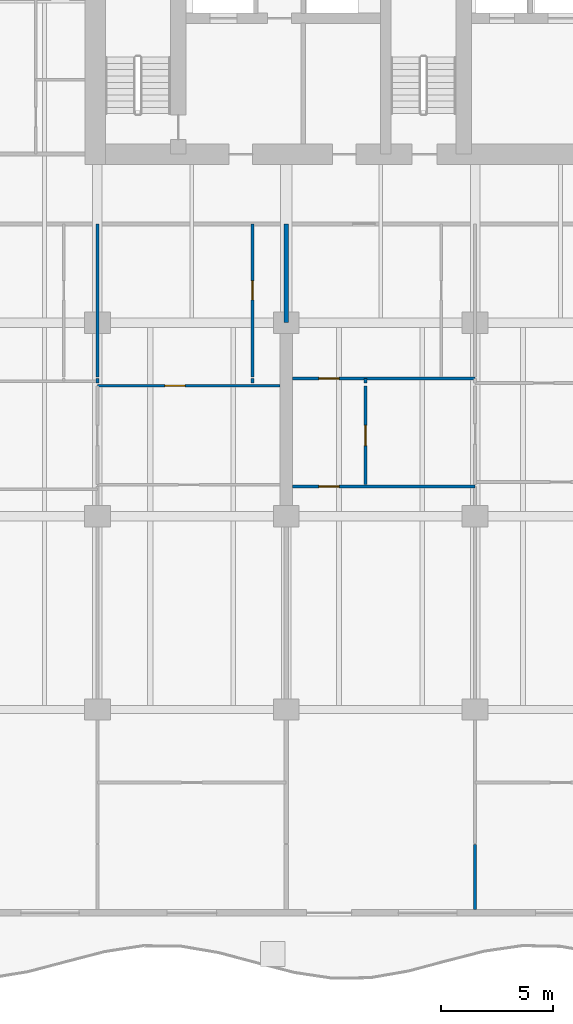
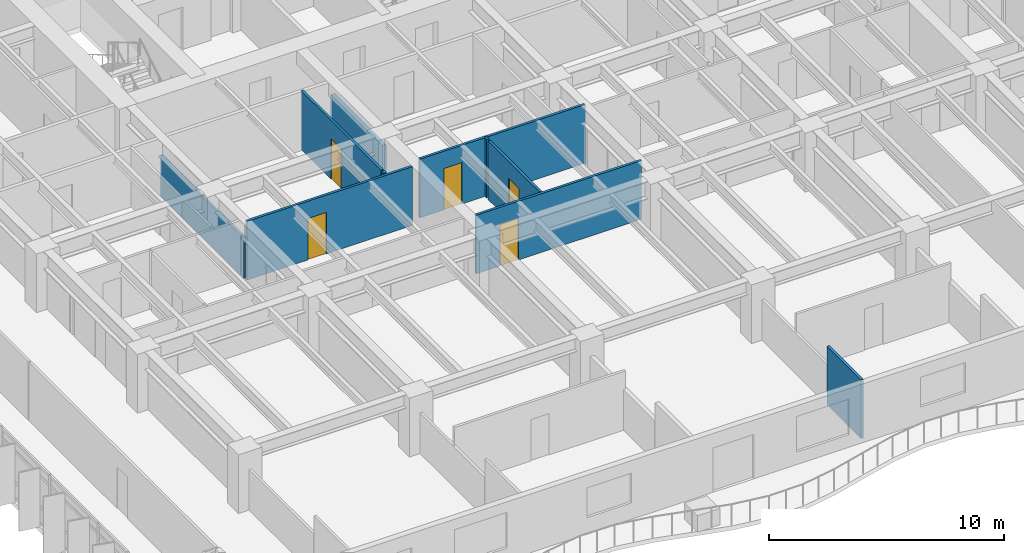
# One storey, part 7 of 18: 11 walls, 5 doors, 5 openings.
"""IFC4 building model written with IfcOpenShell, lengths in metres."""

from ifc_helpers import new_model, si_unit, direction, frame, frame_2d, origin, place, context, subcontext, project, spatial, rectangle, extrude, material, layer, layer_set, type_object, element, fill, save


model = new_model("IFC4")

# Units and contexts
model_context = context("Model", 3, precision=1e-05, world=origin(), true_north=direction((0.0, 1.0)))
body_context = subcontext(model_context, "Body", "Model", "MODEL_VIEW")
ifc_project = project(units=[si_unit("LENGTHUNIT", "METRE"), si_unit("AREAUNIT", "SQUARE_METRE"), si_unit("VOLUMEUNIT", "CUBIC_METRE"), si_unit("PLANEANGLEUNIT", "RADIAN"), si_unit("MASSUNIT", "GRAM", prefix="KILO")], contexts=[model_context])

# Site, building, storey
site_placement = place(None, origin())
site = spatial("IfcSite", under=ifc_project, at=site_placement, CompositionType="ELEMENT")
building_placement = place(site_placement, origin())
building = spatial("IfcBuilding", under=site, at=building_placement, Name="Caelmar Bay Residences", CompositionType="ELEMENT")
storey_placement = place(building_placement, frame((0.0, 0.0, 56.39990234375)))
storey = spatial("IfcBuildingStorey", under=building, at=storey_placement, Name="L14", CompositionType="ELEMENT", Elevation=56.39990234375)

# Walls
ifc_material_1 = material(Name="Acoustic metal-stud gypsum partition 120 mm")
ifc_layer_1 = layer(ifc_material_1, 0.1201171875)
ifc_layer_set_1 = layer_set([ifc_layer_1], Name="Acoustic metal-stud gypsum partition 120 mm")
wall_type_1 = type_object("IfcWallType", Name="W-PRT-120", PredefinedType="PARTITIONING", material=ifc_layer_set_1)
wall_1_placement = place(storey_placement, frame((18.300048828125, 26.719970703125, 0.0), z_axis=(0.0, 0.0, 1.0), x_axis=(0.0, 1.0, 0.0)))
element("IfcWall", 1, at=wall_1_placement, inside=storey, type_object=wall_type_1, Name="L14 Partition Wall V022", PredefinedType="PARTITIONING", context=body_context, shape_type="SweptSolid", body=[
    extrude(rectangle(XDim=0.199951171875, YDim=0.1201171875, at=frame_2d((0.10009765625, 0.0))), origin(), (0.0, 0.0, 1.0), 2.110107421875),
])
wall_2_placement = place(storey_placement, frame((18.300048828125, 26.97998046875, 0.0), z_axis=(0.0, 0.0, 1.0), x_axis=(0.0, 1.0, 0.0)))
element("IfcWall", 2, at=wall_2_placement, inside=storey, type_object=wall_type_1, Name="L14 Partition Wall V023", PredefinedType="PARTITIONING", context=body_context, shape_type="SweptSolid", body=[
    extrude(rectangle(XDim=6.820068359375, YDim=0.1201171875, at=frame_2d((3.41015625, 0.0))), origin(), (0.0, 0.0, 1.0), 2.110107421875),
])
wall_3_placement = place(storey_placement, frame((25.199951171875, 26.719970703125, 0.0), z_axis=(0.0, 0.0, 1.0), x_axis=(0.0, 1.0, 0.0)))
element("IfcWall", 3, at=wall_3_placement, inside=storey, type_object=wall_type_1, Name="L14 Partition Wall V025", PredefinedType="PARTITIONING", context=body_context, shape_type="SweptSolid", body=[
    extrude(rectangle(XDim=0.199951171875, YDim=0.1201171875, at=frame_2d((0.10009765625, 0.0))), origin(), (0.0, 0.0, 1.0), 3.050048828125),
])

# Wall, opening, door
wall_4_placement = place(storey_placement, frame((25.199951171875, 26.97998046875, 0.0), z_axis=(0.0, 0.0, 1.0), x_axis=(0.0, 1.0, 0.0)))
wall_4 = element("IfcWall", 4, at=wall_4_placement, inside=storey, type_object=wall_type_1, Name="L14 Partition Wall V026", PredefinedType="PARTITIONING", context=body_context, shape_type="SweptSolid", body=[
    extrude(rectangle(XDim=6.820068359375, YDim=0.1201171875, at=frame_2d((3.41015625, 0.0))), origin(), (0.0, 0.0, 1.0), 3.050048828125),
])
opening_1_placement = place(wall_4_placement, frame((3.43505859375, 0.0, 0.0)))
opening_1 = element("IfcOpeningElement", 5, at=opening_1_placement, cuts=wall_4, Name="Opening D-L14-128", PredefinedType="OPENING", context=body_context, shape_type="SweptSolid", body=[
    extrude(rectangle(XDim=0.85009765625, YDim=2.10009765625, at=frame_2d((0.425048828125, 1.050048828125))), frame((0.0, 0.070068359375, 0.0), z_axis=(0.0, -1.0, 0.0), x_axis=(1.0, 0.0, 0.0)), (0.0, 0.0, 1.0), 0.14013671875),
])
ifc_material_2 = material(Name="Solid walnut timber interior door leaf and frame", Category="wood")
ifc_layer_2 = layer(ifc_material_2, 0.050048828125)
ifc_layer_set_2 = layer_set([ifc_layer_2], Name="Solid walnut timber interior door leaf and frame")
door_type_1 = type_object("IfcDoorType", Name="D-BATH-850", OperationType="NOTDEFINED", PredefinedType="DOOR", material=ifc_layer_set_2)
door_1_placement = place(opening_1_placement, origin())
door_1 = element("IfcDoor", 6, at=door_1_placement, inside=storey, type_object=door_type_1, Name="L14 Residence 01 En-Suite Bathroom 1 Door", OperationType="SINGLE_SWING_LEFT", OverallHeight=2.10009765625, OverallWidth=0.85009765625, PredefinedType="DOOR", context=body_context, shape_type="SweptSolid", body=[
    extrude(rectangle(XDim=0.85009765625, YDim=2.10009765625, at=frame_2d((0.425048828125, 1.050048828125))), frame((0.0, 0.02490234375, 0.0), z_axis=(0.0, -1.0, 0.0), x_axis=(1.0, 0.0, 0.0)), (0.0, 0.0, 1.0), 0.050048828125),
])
fill(opening_1, door_1)

wall_5_placement = place(storey_placement, frame((30.22802734375, 22.199951171875, 0.0), z_axis=(0.0, 0.0, 1.0), x_axis=(0.0, 1.0, 0.0)))
wall_5 = element("IfcWall", 7, at=wall_5_placement, inside=storey, type_object=wall_type_1, Name="L14 Partition Wall V033", PredefinedType="PARTITIONING", context=body_context, shape_type="SweptSolid", body=[
    extrude(rectangle(XDim=4.380126953125, YDim=0.1201171875, at=frame_2d((2.18994140625, 0.0))), origin(), (0.0, 0.0, 1.0), 3.050048828125),
])
opening_2_placement = place(wall_5_placement, frame((1.739990234375, 0.0, 0.0)))
opening_2 = element("IfcOpeningElement", 8, at=opening_2_placement, cuts=wall_5, Name="Opening D-L14-135", PredefinedType="OPENING", context=body_context, shape_type="SweptSolid", body=[
    extrude(rectangle(XDim=0.89990234375, YDim=2.14990234375, at=frame_2d((0.449951171875, 1.074951171875))), frame((0.0, 0.070068359375, 0.0), z_axis=(0.0, -1.0, 0.0), x_axis=(1.0, 0.0, 0.0)), (0.0, 0.0, 1.0), 0.14013671875),
])
ifc_layer_3 = layer(ifc_material_2, 0.050048828125)
ifc_layer_set_3 = layer_set([ifc_layer_3], Name="Solid walnut timber interior door leaf and frame")
door_type_2 = type_object("IfcDoorType", Name="D-ROOM-900", OperationType="NOTDEFINED", PredefinedType="DOOR", material=ifc_layer_set_3)
door_2_placement = place(opening_2_placement, origin())
door_2 = element("IfcDoor", 9, at=door_2_placement, inside=storey, type_object=door_type_2, Name="L14 Residence 02 Kitchen Door", OperationType="SINGLE_SWING_RIGHT", OverallHeight=2.14990234375, OverallWidth=0.89990234375, PredefinedType="DOOR", context=body_context, shape_type="SweptSolid", body=[
    extrude(rectangle(XDim=0.89990234375, YDim=2.14990234375, at=frame_2d((0.449951171875, 1.074951171875))), frame((0.0, 0.02490234375, 0.0), z_axis=(0.0, -1.0, 0.0), x_axis=(1.0, 0.0, 0.0)), (0.0, 0.0, 1.0), 0.050048828125),
])
fill(opening_2, door_2)

# Walls
wall_6_placement = place(storey_placement, frame((30.22802734375, 26.719970703125, 0.0), z_axis=(0.0, 0.0, 1.0), x_axis=(0.0, 1.0, 0.0)))
element("IfcWall", 10, at=wall_6_placement, inside=storey, type_object=wall_type_1, Name="L14 Partition Wall V034", PredefinedType="PARTITIONING", context=body_context, shape_type="SweptSolid", body=[
    extrude(rectangle(XDim=0.199951171875, YDim=0.1201171875, at=frame_2d((0.10009765625, 0.0))), origin(), (0.0, 0.0, 1.0), 3.050048828125),
])
wall_7_placement = place(storey_placement, frame((35.10009765625, 3.294921875, 0.0), z_axis=(0.0, 0.0, 1.0), x_axis=(0.0, 1.0, 0.0)))
element("IfcWall", 11, at=wall_7_placement, inside=storey, type_object=wall_type_1, Name="L14 Partition Wall V037", PredefinedType="PARTITIONING", context=body_context, shape_type="SweptSolid", body=[
    extrude(rectangle(XDim=2.905029296875, YDim=0.1201171875, at=frame_2d((1.45263671875, 0.0))), origin(), (0.0, 0.0, 1.0), 3.050048828125),
])

# Wall, opening, door
wall_8_placement = place(storey_placement, frame((26.969970703125, 22.1201171875, 0.0), z_axis=(0.0, 0.0, 1.0), x_axis=(1.0, 0.0, 0.0)))
wall_8 = element("IfcWall", 12, at=wall_8_placement, inside=storey, type_object=wall_type_1, Name="L14 Partition Wall H109", PredefinedType="PARTITIONING", context=body_context, shape_type="SweptSolid", body=[
    extrude(rectangle(XDim=8.130126953125, YDim=0.1201171875, at=frame_2d((4.06494140625, 0.0))), origin(), (0.0, 0.0, 1.0), 3.050048828125),
])
opening_3_placement = place(wall_8_placement, frame((1.178955078125, 0.0, 0.0)))
opening_3 = element("IfcOpeningElement", 13, at=opening_3_placement, cuts=wall_8, Name="Opening D-L14-136", PredefinedType="OPENING", context=body_context, shape_type="SweptSolid", body=[
    extrude(rectangle(XDim=0.89990234375, YDim=2.14990234375, at=frame_2d((0.449951171875, 1.074951171875))), frame((0.0, 0.070068359375, 0.0), z_axis=(0.0, -1.0, 0.0), x_axis=(1.0, 0.0, 0.0)), (0.0, 0.0, 1.0), 0.14013671875),
])
door_3_placement = place(opening_3_placement, origin())
door_3 = element("IfcDoor", 14, at=door_3_placement, inside=storey, type_object=door_type_2, Name="L14 Residence 02 Penthouse Living Salon Door", OperationType="SINGLE_SWING_LEFT", OverallHeight=2.14990234375, OverallWidth=0.89990234375, PredefinedType="DOOR", context=body_context, shape_type="SweptSolid", body=[
    extrude(rectangle(XDim=0.89990234375, YDim=2.14990234375, at=frame_2d((0.449951171875, 1.074951171875))), frame((0.0, 0.02490234375, 0.0), z_axis=(0.0, -1.0, 0.0), x_axis=(1.0, 0.0, 0.0)), (0.0, 0.0, 1.0), 0.050048828125),
])
fill(opening_3, door_3)

wall_9_placement = place(storey_placement, frame((18.300048828125, 26.60009765625, 0.0), z_axis=(0.0, 0.0, 1.0), x_axis=(1.0, 0.0, 0.0)))
wall_9 = element("IfcWall", 15, at=wall_9_placement, inside=storey, type_object=wall_type_1, Name="L14 Partition Wall H113", PredefinedType="PARTITIONING", context=body_context, shape_type="SweptSolid", body=[
    extrude(rectangle(XDim=8.1298828125, YDim=0.1201171875, at=frame_2d((4.06494140625, 0.0))), origin(), (0.0, 0.0, 1.0), 3.050048828125),
])
opening_4_placement = place(wall_9_placement, frame((3.0, 0.0, 0.0)))
opening_4 = element("IfcOpeningElement", 16, at=opening_4_placement, cuts=wall_9, Name="Opening D-L14-127", PredefinedType="OPENING", context=body_context, shape_type="SweptSolid", body=[
    extrude(rectangle(XDim=0.89990234375, YDim=2.14990234375, at=frame_2d((0.449951171875, 1.074951171875))), frame((0.0, 0.070068359375, 0.0), z_axis=(0.0, -1.0, 0.0), x_axis=(1.0, 0.0, 0.0)), (0.0, 0.0, 1.0), 0.14013671875),
])
door_4_placement = place(opening_4_placement, origin())
door_4 = element("IfcDoor", 17, at=door_4_placement, inside=storey, type_object=door_type_2, Name="L14 Residence 01 Private Meeting Room 1 Door", OperationType="SINGLE_SWING_RIGHT", OverallHeight=2.14990234375, OverallWidth=0.89990234375, PredefinedType="DOOR", context=body_context, shape_type="SweptSolid", body=[
    extrude(rectangle(XDim=0.89990234375, YDim=2.14990234375, at=frame_2d((0.449951171875, 1.074951171875))), frame((0.0, 0.02490234375, 0.0), z_axis=(0.0, -1.0, 0.0), x_axis=(1.0, 0.0, 0.0)), (0.0, 0.0, 1.0), 0.050048828125),
])
fill(opening_4, door_4)

wall_10_placement = place(storey_placement, frame((26.969970703125, 26.919921875, 0.0), z_axis=(0.0, 0.0, 1.0), x_axis=(1.0, 0.0, 0.0)))
wall_10 = element("IfcWall", 18, at=wall_10_placement, inside=storey, type_object=wall_type_1, Name="L14 Partition Wall H117", PredefinedType="PARTITIONING", context=body_context, shape_type="SweptSolid", body=[
    extrude(rectangle(XDim=8.130126953125, YDim=0.1201171875, at=frame_2d((4.06494140625, 0.0))), origin(), (0.0, 0.0, 1.0), 3.050048828125),
])
opening_5_placement = place(wall_10_placement, frame((1.178955078125, 0.0, 0.0)))
opening_5 = element("IfcOpeningElement", 19, at=opening_5_placement, cuts=wall_10, Name="Opening D-L14-134", PredefinedType="OPENING", context=body_context, shape_type="SweptSolid", body=[
    extrude(rectangle(XDim=0.89990234375, YDim=2.14990234375, at=frame_2d((0.449951171875, 1.074951171875))), frame((0.0, 0.070068359375, 0.0), z_axis=(0.0, -1.0, 0.0), x_axis=(1.0, 0.0, 0.0)), (0.0, 0.0, 1.0), 0.14013671875),
])
door_5_placement = place(opening_5_placement, origin())
door_5 = element("IfcDoor", 20, at=door_5_placement, inside=storey, type_object=door_type_2, Name="L14 Residence 02 Dining Room Door", OperationType="SINGLE_SWING_LEFT", OverallHeight=2.14990234375, OverallWidth=0.89990234375, PredefinedType="DOOR", context=body_context, shape_type="SweptSolid", body=[
    extrude(rectangle(XDim=0.89990234375, YDim=2.14990234375, at=frame_2d((0.449951171875, 1.074951171875))), frame((0.0, 0.02490234375, 0.0), z_axis=(0.0, -1.0, 0.0), x_axis=(1.0, 0.0, 0.0)), (0.0, 0.0, 1.0), 0.050048828125),
])
fill(opening_5, door_5)

# Wall
ifc_material_3 = material(Name="Acoustic twin-stud fire-rated inter-tenancy partition 200 mm")
ifc_layer_4 = layer(ifc_material_3, 0.199951171875)
ifc_layer_set_4 = layer_set([ifc_layer_4], Name="Acoustic twin-stud fire-rated inter-tenancy partition 200 mm")
wall_type_2 = type_object("IfcWallType", Name="W-PTY-200", PredefinedType="PARTITIONING", material=ifc_layer_set_4)
wall_11_placement = place(storey_placement, frame((26.699951171875, 29.405029296875, 0.0), z_axis=(0.0, 0.0, 1.0), x_axis=(0.0, 1.0, 0.0)))
element("IfcWall", 21, at=wall_11_placement, inside=storey, type_object=wall_type_2, Name="L14 Partition Wall V030", PredefinedType="PARTITIONING", context=body_context, shape_type="SweptSolid", body=[
    extrude(rectangle(XDim=4.39501953125, YDim=0.199951171875, at=frame_2d((2.197509765625, 0.0))), origin(), (0.0, 0.0, 1.0), 2.335205078125),
])

save(model, "model.ifc")
